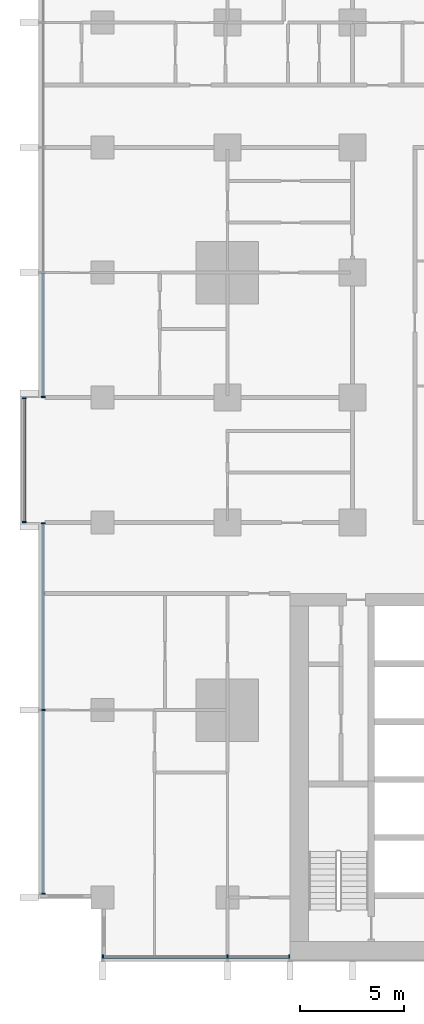
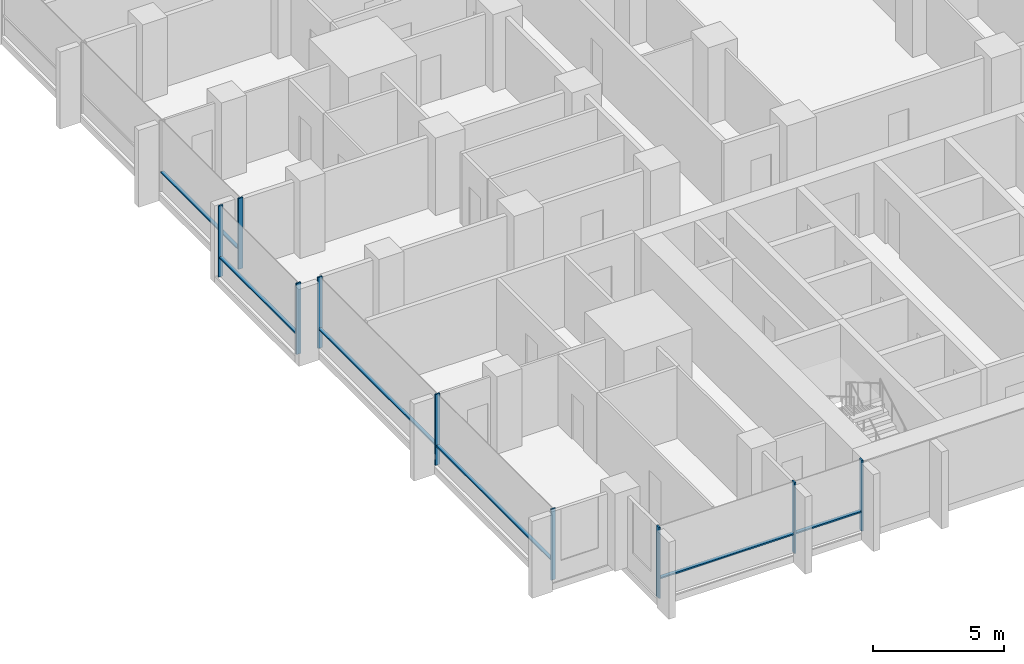
# One storey, part 2 of 18: 15 members, 4 elements without a shape of their own.
"""IFC4 building model written with IfcOpenShell, lengths in metres."""

import ifcopenshell
import ifcopenshell.guid

model = None  # the IFC model being written
_history = None  # IfcOwnerHistory: only IFC2X3 demands one
_inside = {}  # id of a spatial element -> (the spatial element, [elements in it])
_under = {}  # id of a project, library or spatial element -> (it, [spatial elements below it])
_declared = {}  # id of a project -> (the project, [libraries it declares])
_typed = {}  # id of a type object -> (the type object, [elements of that type])
_made_of = {}  # id of a material, layer set ... -> (it, [elements and type objects made of it])


def new_model(schema):
    """Start an empty IFC model of exactly this schema.

    Asked for "IFC4X3", IfcOpenShell would pick the latest addendum, in which some entities
    have other attributes; the version numbers below select the first issue.
    IFC2X3 requires an IfcOwnerHistory on every rooted entity: one is made here for all.
    """
    global model, _history
    if schema == "IFC4X3":
        model = ifcopenshell.file(schema_version=(4, 3, 0, 0))
    else:
        model = ifcopenshell.file(schema=schema)
    _inside.clear()
    _under.clear()
    _declared.clear()
    _typed.clear()
    _made_of.clear()
    _history = None
    if model.schema == "IFC2X3":
        org = make("IfcOrganization", Name="unknown")
        user = make(
            "IfcPersonAndOrganization",
            ThePerson=make("IfcPerson", FamilyName="unknown"),
            TheOrganization=org,
        )
        app = make(
            "IfcApplication",
            ApplicationDeveloper=org,
            Version="unknown",
            ApplicationFullName="unknown",
            ApplicationIdentifier="unknown",
        )
        _history = make(
            "IfcOwnerHistory",
            OwningUser=user,
            OwningApplication=app,
            ChangeAction="ADDED",
            CreationDate=0,
        )
    return model


def make(cls, **values):
    """One entity of the class cls with the attributes given. An attribute that is None is left unset."""
    return model.create_entity(
        cls, **{name: value for name, value in values.items() if value is not None}
    )


def rooted(cls, **values):
    """An entity with a GlobalId (a new one), such as an element, a storey or a relation."""
    return make(cls, GlobalId=ifcopenshell.guid.new(), OwnerHistory=_history, **values)


def si_unit(unit_type, name, prefix=None):
    """IfcSIUnit, for example si_unit("LENGTHUNIT", "METRE", prefix="MILLI")."""
    return make("IfcSIUnit", UnitType=unit_type, Prefix=prefix, Name=name)


def assignment(units):
    """IfcUnitAssignment: the units of a project."""
    return None if units is None else make("IfcUnitAssignment", Units=units)


def point(xyz):
    """IfcCartesianPoint."""
    return None if xyz is None else make("IfcCartesianPoint", Coordinates=xyz)


def direction(xyz):
    """IfcDirection."""
    return None if xyz is None else make("IfcDirection", DirectionRatios=xyz)


def frame(location, z_axis=None, x_axis=None):
    """IfcAxis2Placement3D, a coordinate frame: its origin and axes. An axis left out is left unset."""
    return make(
        "IfcAxis2Placement3D",
        Location=point(location),
        Axis=direction(z_axis),
        RefDirection=direction(x_axis),
    )


def frame_2d(location, x_axis=None):
    """IfcAxis2Placement2D, a coordinate frame in the plane: its origin and x axis."""
    return make(
        "IfcAxis2Placement2D", Location=point(location), RefDirection=direction(x_axis)
    )


def origin():
    """The frame at (0, 0, 0) with its axes left unset."""
    return frame((0.0, 0.0, 0.0))


def origin_2d():
    """The frame at (0, 0) in the plane with its x axis left unset."""
    return frame_2d((0.0, 0.0))


def place(relative_to, where):
    """IfcLocalPlacement: puts the frame where relative to a parent placement (None: the world)."""
    return make(
        "IfcLocalPlacement", PlacementRelTo=relative_to, RelativePlacement=where
    )


def context(
    kind, dimensions, precision=None, world=None, true_north=None, identifier=None
):
    """IfcGeometricRepresentationContext, for example the 3D "Model" context."""
    return make(
        "IfcGeometricRepresentationContext",
        ContextIdentifier=identifier,
        ContextType=kind,
        CoordinateSpaceDimension=dimensions,
        Precision=precision,
        WorldCoordinateSystem=world,
        TrueNorth=true_north,
    )


def subcontext(parent, identifier, kind, view, scale=None):
    """IfcGeometricRepresentationSubContext, for example "Body" below "Model"."""
    return make(
        "IfcGeometricRepresentationSubContext",
        ContextIdentifier=identifier,
        ContextType=kind,
        ParentContext=parent,
        TargetScale=scale,
        TargetView=view,
    )


def project(units=None, contexts=None):
    """IfcProject with its units and contexts."""
    return rooted(
        "IfcProject",
        Name="project",
        RepresentationContexts=contexts,
        UnitsInContext=assignment(units),
    )


def spatial(cls, under=None, at=None, **own):
    """A site, building, storey or space (cls), placed at a placement, below another one or the project."""
    s = rooted(cls, ObjectPlacement=at, **own)
    if under is not None:
        _under.setdefault(under.id(), (under, []))[1].append(s)
    return s


def profile(cls, at=None, kind="AREA", **sizes):
    """A parametric profile (cls). Its sizes go by their IFC names, for example OverallWidth=200.0."""
    return make(cls, ProfileType=kind, Position=at, **sizes)


def rectangle(**sizes):
    """IfcRectangleProfileDef."""
    return profile("IfcRectangleProfileDef", **sizes)


def extrude(swept, where, along, depth):
    """IfcExtrudedAreaSolid: the profile swept, set in the frame where, extruded along a direction by depth."""
    return make(
        "IfcExtrudedAreaSolid",
        SweptArea=swept,
        Position=where,
        ExtrudedDirection=direction(along),
        Depth=depth,
    )


def shape(context_of_items, identifier, shape_type, items):
    """IfcShapeRepresentation: the items that make up one representation, for example the "Body"."""
    return make(
        "IfcShapeRepresentation",
        ContextOfItems=context_of_items,
        RepresentationIdentifier=identifier,
        RepresentationType=shape_type,
        Items=items,
    )


def material(Name=None, Category=None):
    """IfcMaterial."""
    return make("IfcMaterial", Name=Name, Category=Category)


def material_profile(
    of_material, cross_section, Name=None, Category=None, Priority=None
):
    """IfcMaterialProfile: a cross section and its material."""
    return make(
        "IfcMaterialProfile",
        Name=Name,
        Material=of_material,
        Profile=cross_section,
        Priority=Priority,
        Category=Category,
    )


def profile_set(profiles, Name=None, composite=None):
    """IfcMaterialProfileSet."""
    return make(
        "IfcMaterialProfileSet",
        Name=Name,
        MaterialProfiles=profiles,
        CompositeProfile=composite,
    )


def made_of(thing, what):
    """Note that an element or type object is made of a material, layer set ...; save() writes the relation."""
    if what is not None:
        _made_of.setdefault(what.id(), (what, []))[1].append(thing)
    return thing


def type_object(cls, material=None, **own):
    """A type object (cls), such as IfcWallType, which elements share."""
    return made_of(rooted(cls, **own), material)


def element(
    cls,
    number,
    at=None,
    inside=None,
    cuts=None,
    type_object=None,
    material=None,
    context=None,
    identifier="Body",
    shape_type=None,
    held_by="IfcProductDefinitionShape",
    body=None,
    shapes=None,
    **own,
):
    """One element of the class cls, such as IfcWall. Its Tag is "e" and its number.

    at: its placement. inside: the storey or other place that contains it. cuts: it is an
    opening in that element (IfcRelVoidsElement). A single representation is given by context,
    identifier, shape_type and body (its items); several are given by shapes. held_by: the class
    of the entity that holds the representations. save() writes the other relations.
    """
    e = rooted(cls, Tag="e%d" % number, ObjectPlacement=at, **own)
    if body is not None:
        shapes = [shape(context, identifier, shape_type, body)]
    if shapes is not None:
        e.Representation = make(held_by, Representations=shapes)
    if inside is not None:
        _inside.setdefault(inside.id(), (inside, []))[1].append(e)
    if cuts is not None:
        rooted(
            "IfcRelVoidsElement", RelatingBuildingElement=cuts, RelatedOpeningElement=e
        )
    if type_object is not None:
        _typed.setdefault(type_object.id(), (type_object, []))[1].append(e)
    return made_of(e, material)


def aggregate(whole, parts):
    """IfcRelAggregates: a whole, such as a stair, and the parts it consists of."""
    return rooted("IfcRelAggregates", RelatingObject=whole, RelatedObjects=parts)


def save(model, path):
    """Write the relations noted so far, then the file.

    IfcRelAggregates (storeys below a building ...), IfcRelContainedInSpatialStructure (elements
    in a storey), IfcRelDefinesByType, IfcRelAssociatesMaterial and IfcRelDeclares: one each for
    every whole, place, type object, material and project.
    """
    for whole, parts in _under.values():
        aggregate(whole, parts)
    for where, things in _inside.values():
        rooted(
            "IfcRelContainedInSpatialStructure",
            RelatedElements=things,
            RelatingStructure=where,
        )
    for kind, things in _typed.values():
        rooted("IfcRelDefinesByType", RelatedObjects=things, RelatingType=kind)
    for what, things in _made_of.values():
        rooted("IfcRelAssociatesMaterial", RelatedObjects=things, RelatingMaterial=what)
    for by, libraries in _declared.values():
        rooted("IfcRelDeclares", RelatingContext=by, RelatedDefinitions=libraries)
    model.write(path)


model = new_model("IFC4")

# Units and contexts
model_context = context("Model", 3, precision=1e-05, world=origin(), true_north=direction((0.0, 1.0)))
body_context = subcontext(model_context, "Body", "Model", "MODEL_VIEW")
ifc_project = project(units=[si_unit("LENGTHUNIT", "METRE"), si_unit("AREAUNIT", "SQUARE_METRE"), si_unit("VOLUMEUNIT", "CUBIC_METRE"), si_unit("PLANEANGLEUNIT", "RADIAN"), si_unit("MASSUNIT", "GRAM", prefix="KILO")], contexts=[model_context])

# Site, building, storey
site_placement = place(None, origin())
site = spatial("IfcSite", under=ifc_project, at=site_placement, CompositionType="ELEMENT")
building_placement = place(site_placement, origin())
building = spatial("IfcBuilding", under=site, at=building_placement, Name="Finial Court Residences", CompositionType="ELEMENT")
storey_placement = place(building_placement, frame((0.0, 0.0, 50.5)))
storey = spatial("IfcBuildingStorey", under=building, at=storey_placement, Name="L11", CompositionType="ELEMENT", Elevation=50.5)

# Curtain wall, members
ifc_material = material(Name="Bronze anodised aluminium", Category="aluminium")
curtain_wall_type = type_object("IfcCurtainWallType", Name="Unitised curtain wall, lower and middle zones", PredefinedType="NOTDEFINED", material=ifc_material)
curtain_wall_1_placement = place(storey_placement, origin())
curtain_wall_1 = element("IfcCurtainWall", 1, at=curtain_wall_1_placement, inside=storey, type_object=curtain_wall_type, Name="E-L11-CW-S7", PredefinedType="NOTDEFINED")
ifc_material_profile_1 = material_profile(ifc_material, rectangle(XDim=0.199951171875, YDim=0.06494140625, at=origin_2d()), Name="CW1 mullion 65 x 200")
ifc_profile_set_1 = profile_set([ifc_material_profile_1], Name="Bronze anodised aluminium")
member_type_1 = type_object("IfcMemberType", Name="CW1 mullion 65 x 200", PredefinedType="MULLION", material=ifc_profile_set_1)
member_1_placement = place(storey_placement, frame((-22.467529296875, -25.35009765625, 0.0), z_axis=(0.0, 0.0, 1.0), x_axis=(0.0, 1.0, 0.0)))
member_1 = element("IfcMember", 2, at=member_1_placement, type_object=member_type_1, Name="CW1 mullion 1", PredefinedType="MULLION", context=body_context, shape_type="SweptSolid", body=[
    extrude(rectangle(XDim=0.199951171875, YDim=0.06494140625, at=origin_2d()), origin(), (0.0, 0.0, 1.0), 3.300048828125),
])
member_2_placement = place(storey_placement, frame((-16.5, -25.35009765625, 0.0), z_axis=(0.0, 0.0, 1.0), x_axis=(0.0, 1.0, 0.0)))
member_2 = element("IfcMember", 3, at=member_2_placement, type_object=member_type_1, Name="CW1 mullion 2", PredefinedType="MULLION", context=body_context, shape_type="SweptSolid", body=[
    extrude(rectangle(XDim=0.199951171875, YDim=0.06494140625, at=origin_2d()), origin(), (0.0, 0.0, 1.0), 3.300048828125),
])
member_3_placement = place(storey_placement, frame((-13.532470703125, -25.35009765625, 0.0), z_axis=(0.0, 0.0, 1.0), x_axis=(0.0, 1.0, 0.0)))
member_3 = element("IfcMember", 4, at=member_3_placement, type_object=member_type_1, Name="CW1 mullion 3", PredefinedType="MULLION", context=body_context, shape_type="SweptSolid", body=[
    extrude(rectangle(XDim=0.199951171875, YDim=0.06494140625, at=origin_2d()), origin(), (0.0, 0.0, 1.0), 3.300048828125),
])

curtain_wall_2_placement = place(storey_placement, origin())
curtain_wall_2 = element("IfcCurtainWall", 5, at=curtain_wall_2_placement, inside=storey, type_object=curtain_wall_type, Name="E-L11-CW-W9", PredefinedType="NOTDEFINED")
member_4_placement = place(storey_placement, frame((-25.35009765625, -22.3173828125, 0.0), z_axis=(0.0, 0.0, 1.0), x_axis=(-1.0, 0.0, 0.0)))
member_4 = element("IfcMember", 6, at=member_4_placement, type_object=member_type_1, Name="CW1 mullion 1", PredefinedType="MULLION", context=body_context, shape_type="SweptSolid", body=[
    extrude(rectangle(XDim=0.199951171875, YDim=0.06494140625, at=origin_2d()), origin(), (0.0, 0.0, 1.0), 3.300048828125),
])
member_5_placement = place(storey_placement, frame((-25.35009765625, -13.5, 0.0), z_axis=(0.0, 0.0, 1.0), x_axis=(-1.0, 0.0, 0.0)))
member_5 = element("IfcMember", 7, at=member_5_placement, type_object=member_type_1, Name="CW1 mullion 2", PredefinedType="MULLION", context=body_context, shape_type="SweptSolid", body=[
    extrude(rectangle(XDim=0.199951171875, YDim=0.06494140625, at=origin_2d()), origin(), (0.0, 0.0, 1.0), 3.300048828125),
])
member_6_placement = place(storey_placement, frame((-25.35009765625, -4.532470703125, 0.0), z_axis=(0.0, 0.0, 1.0), x_axis=(-1.0, 0.0, 0.0)))
member_6 = element("IfcMember", 8, at=member_6_placement, type_object=member_type_1, Name="CW1 mullion 3", PredefinedType="MULLION", context=body_context, shape_type="SweptSolid", body=[
    extrude(rectangle(XDim=0.199951171875, YDim=0.06494140625, at=origin_2d()), origin(), (0.0, 0.0, 1.0), 3.300048828125),
])

curtain_wall_3_placement = place(storey_placement, origin())
curtain_wall_3 = element("IfcCurtainWall", 9, at=curtain_wall_3_placement, inside=storey, type_object=curtain_wall_type, Name="E-L11-CW-W10", PredefinedType="NOTDEFINED")
member_7_placement = place(storey_placement, frame((-26.25, -4.467529296875, 0.0), z_axis=(0.0, 0.0, 1.0), x_axis=(-1.0, 0.0, 0.0)))
member_7 = element("IfcMember", 10, at=member_7_placement, type_object=member_type_1, Name="CW1 mullion 1", PredefinedType="MULLION", context=body_context, shape_type="SweptSolid", body=[
    extrude(rectangle(XDim=0.199951171875, YDim=0.06494140625, at=origin_2d()), origin(), (0.0, 0.0, 1.0), 3.300048828125),
])
member_8_placement = place(storey_placement, frame((-26.25, 1.467529296875, 0.0), z_axis=(0.0, 0.0, 1.0), x_axis=(-1.0, 0.0, 0.0)))
member_8 = element("IfcMember", 11, at=member_8_placement, type_object=member_type_1, Name="CW1 mullion 2", PredefinedType="MULLION", context=body_context, shape_type="SweptSolid", body=[
    extrude(rectangle(XDim=0.199951171875, YDim=0.06494140625, at=origin_2d()), origin(), (0.0, 0.0, 1.0), 3.300048828125),
])

# Curtain wall, member
curtain_wall_4_placement = place(storey_placement, origin())
curtain_wall_4 = element("IfcCurtainWall", 12, at=curtain_wall_4_placement, inside=storey, type_object=curtain_wall_type, Name="E-L11-CW-W11", PredefinedType="NOTDEFINED")
member_9_placement = place(storey_placement, frame((-25.35009765625, 1.532470703125, 0.0), z_axis=(0.0, 0.0, 1.0), x_axis=(-1.0, 0.0, 0.0)))
member_9 = element("IfcMember", 13, at=member_9_placement, type_object=member_type_1, Name="CW1 mullion 1", PredefinedType="MULLION", context=body_context, shape_type="SweptSolid", body=[
    extrude(rectangle(XDim=0.199951171875, YDim=0.06494140625, at=origin_2d()), origin(), (0.0, 0.0, 1.0), 3.300048828125),
])

# Member
ifc_material_profile_2 = material_profile(ifc_material, rectangle(XDim=0.14990234375, YDim=0.06494140625, at=origin_2d()), Name="CW1 transom 65 x 150")
ifc_profile_set_2 = profile_set([ifc_material_profile_2], Name="Bronze anodised aluminium")
member_type_2 = type_object("IfcMemberType", Name="CW1 transom 65 x 150", PredefinedType="USERDEFINED", material=ifc_profile_set_2)
member_10_placement = place(storey_placement, frame((-22.43505859375, -25.35009765625, 0.89990234375), z_axis=(1.0, 0.0, 0.0), x_axis=(0.0, 1.0, 0.0)))
member_10 = element("IfcMember", 14, at=member_10_placement, type_object=member_type_2, Name="CW1 transom 1.1", ObjectType="TRANSOM", PredefinedType="USERDEFINED", context=body_context, shape_type="SweptSolid", body=[
    extrude(rectangle(XDim=0.14990234375, YDim=0.06494140625, at=origin_2d()), origin(), (0.0, 0.0, 1.0), 5.902587890625),
])

member_11_placement = place(storey_placement, frame((-16.467529296875, -25.35009765625, 0.89990234375), z_axis=(1.0, 0.0, 0.0), x_axis=(0.0, 1.0, 0.0)))
member_11 = element("IfcMember", 15, at=member_11_placement, type_object=member_type_2, Name="CW1 transom 2.1", ObjectType="TRANSOM", PredefinedType="USERDEFINED", context=body_context, shape_type="SweptSolid", body=[
    extrude(rectangle(XDim=0.14990234375, YDim=0.06494140625, at=origin_2d()), origin(), (0.0, 0.0, 1.0), 2.902587890625),
])

aggregate(curtain_wall_1, [member_1, member_2, member_3, member_10, member_11])

member_12_placement = place(storey_placement, frame((-25.35009765625, -22.284912109375, 0.89990234375), z_axis=(0.0, 1.0, 0.0), x_axis=(-1.0, 0.0, 0.0)))
member_12 = element("IfcMember", 16, at=member_12_placement, type_object=member_type_2, Name="CW1 transom 1.1", ObjectType="TRANSOM", PredefinedType="USERDEFINED", context=body_context, shape_type="SweptSolid", body=[
    extrude(rectangle(XDim=0.14990234375, YDim=0.06494140625, at=origin_2d()), origin(), (0.0, 0.0, 1.0), 8.75244140625),
])

member_13_placement = place(storey_placement, frame((-25.35009765625, -13.467529296875, 0.89990234375), z_axis=(0.0, 1.0, 0.0), x_axis=(-1.0, 0.0, 0.0)))
member_13 = element("IfcMember", 17, at=member_13_placement, type_object=member_type_2, Name="CW1 transom 2.1", ObjectType="TRANSOM", PredefinedType="USERDEFINED", context=body_context, shape_type="SweptSolid", body=[
    extrude(rectangle(XDim=0.14990234375, YDim=0.06494140625, at=origin_2d()), origin(), (0.0, 0.0, 1.0), 8.902587890625),
])

aggregate(curtain_wall_2, [member_4, member_5, member_6, member_12, member_13])

member_14_placement = place(storey_placement, frame((-26.25, -4.43505859375, 0.89990234375), z_axis=(0.0, 1.0, 0.0), x_axis=(-1.0, 0.0, 0.0)))
member_14 = element("IfcMember", 18, at=member_14_placement, type_object=member_type_2, Name="CW1 transom 1.1", ObjectType="TRANSOM", PredefinedType="USERDEFINED", context=body_context, shape_type="SweptSolid", body=[
    extrude(rectangle(XDim=0.14990234375, YDim=0.06494140625, at=origin_2d()), origin(), (0.0, 0.0, 1.0), 5.8701171875),
])

aggregate(curtain_wall_3, [member_7, member_8, member_14])

member_15_placement = place(storey_placement, frame((-25.35009765625, 1.56494140625, 0.89990234375), z_axis=(0.0, 1.0, 0.0), x_axis=(-1.0, 0.0, 0.0)))
member_15 = element("IfcMember", 19, at=member_15_placement, type_object=member_type_2, Name="CW1 transom 1.1", ObjectType="TRANSOM", PredefinedType="USERDEFINED", context=body_context, shape_type="SweptSolid", body=[
    extrude(rectangle(XDim=0.14990234375, YDim=0.06494140625, at=origin_2d()), origin(), (0.0, 0.0, 1.0), 5.902587890625),
])

aggregate(curtain_wall_4, [member_9, member_15])

save(model, "model.ifc")
